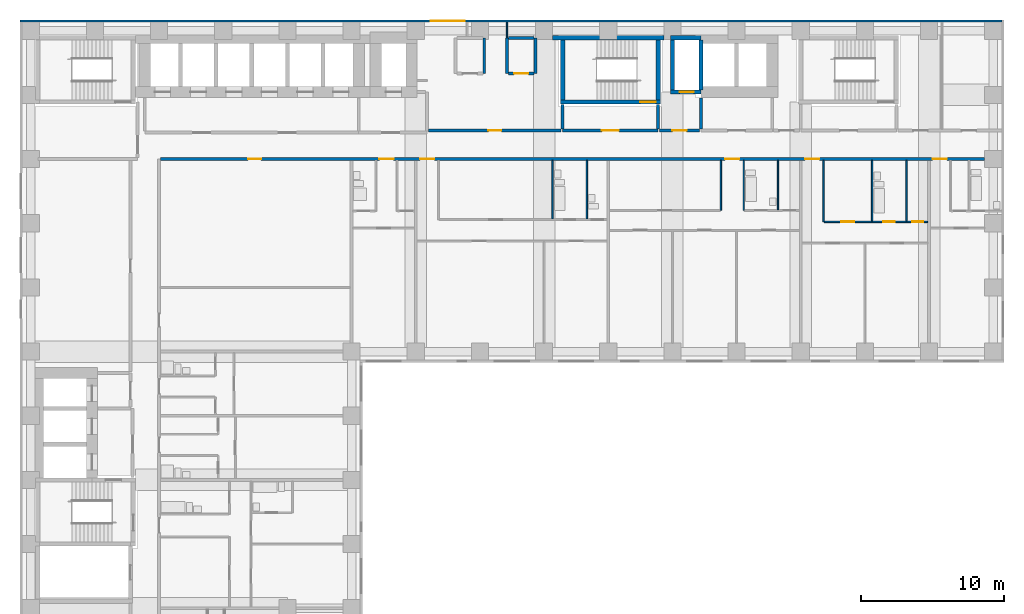
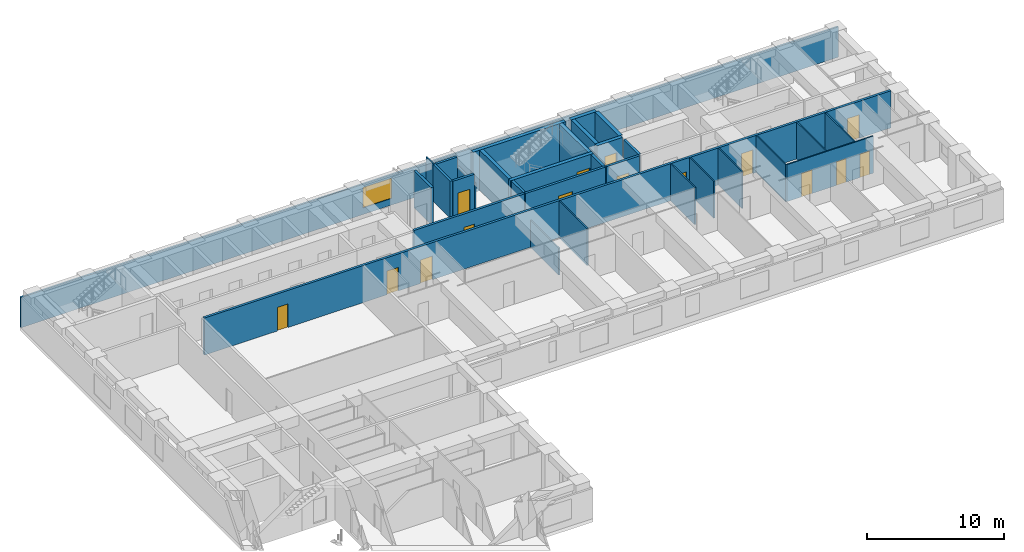
# One storey, part 7 of 11: 31 walls, 15 doors, 1 window, 16 openings.
"""IFC4 building model written with IfcOpenShell, lengths in metres."""

from ifc_helpers import new_model, si_unit, direction, frame, frame_2d, origin, place, context, subcontext, project, spatial, rectangle, extrude, material, layer, layer_set, type_object, element, fill, save


model = new_model("IFC4")

# Units and contexts
model_context = context("Model", 3, precision=1e-05, world=origin(), true_north=direction((0.0, 1.0)))
body_context = subcontext(model_context, "Body", "Model", "MODEL_VIEW")
ifc_project = project(units=[si_unit("LENGTHUNIT", "METRE"), si_unit("AREAUNIT", "SQUARE_METRE"), si_unit("VOLUMEUNIT", "CUBIC_METRE"), si_unit("PLANEANGLEUNIT", "RADIAN"), si_unit("MASSUNIT", "GRAM", prefix="KILO")], contexts=[model_context])

# Site, building, storey
site_placement = place(None, origin())
site = spatial("IfcSite", under=ifc_project, at=site_placement, CompositionType="ELEMENT")
building_placement = place(site_placement, origin())
building = spatial("IfcBuilding", under=site, at=building_placement, Name="Firuza Court", CompositionType="ELEMENT")
storey_placement = place(building_placement, frame((0.0, 0.0, 57.800048828125)))
storey = spatial("IfcBuildingStorey", under=building, at=storey_placement, Name="L13", CompositionType="ELEMENT", Elevation=57.800048828125)

# Walls
ifc_material_1 = material(Name="Moisture-resistant gypsum board partition")
ifc_layer_1 = layer(ifc_material_1, 0.10009765625)
ifc_layer_set_1 = layer_set([ifc_layer_1], Name="Moisture-resistant gypsum board partition")
wall_type_1 = type_object("IfcWallType", Name="Bathroom partition 100", PredefinedType="PLUMBINGWALL", material=ifc_layer_set_1)
for number, where, z_axis, x_axis, name in (
    (1, (59.0, 45.14990234375, 0.0), (0.0, 0.0, 1.0), (0.0, 1.0, 0.0), "Bathroom partition 100 L13"),
    (2, (61.39990234375, 45.14990234375, 0.0), (0.0, 0.0, 1.0), (0.0, 1.0, 0.0), "Bathroom partition 100 L13"),
):
    element("IfcWall", number, at=place(storey_placement, frame(where, z_axis=z_axis, x_axis=x_axis)), inside=storey, type_object=wall_type_1, Name=name, PredefinedType="PLUMBINGWALL", context=body_context, shape_type="SweptSolid", body=[
        extrude(rectangle(XDim=4.25, YDim=0.10009765625, at=frame_2d((2.125, 0.0))), origin(), (0.0, 0.0, 1.0), 3.300048828125),
    ])
wall_1_placement = place(storey_placement, frame((36.60009765625, 45.300048828125, 0.0), z_axis=(0.0, 0.0, 1.0), x_axis=(0.0, 1.0, 0.0)))
element("IfcWall", 3, at=wall_1_placement, inside=storey, type_object=wall_type_1, Name="Bathroom partition 100 L13", PredefinedType="PLUMBINGWALL", context=body_context, shape_type="SweptSolid", body=[
    extrude(rectangle(XDim=4.099853515625, YDim=0.10009765625, at=frame_2d((2.0498046875, 0.0))), origin(), (0.0, 0.0, 1.0), 2.39990234375),
])
wall_2_placement = place(storey_placement, frame((39.0, 45.300048828125, 0.0), z_axis=(0.0, 0.0, 1.0), x_axis=(0.0, 1.0, 0.0)))
element("IfcWall", 4, at=wall_2_placement, inside=storey, type_object=wall_type_1, Name="Bathroom partition 100 L13", PredefinedType="PLUMBINGWALL", context=body_context, shape_type="SweptSolid", body=[
    extrude(rectangle(XDim=4.099853515625, YDim=0.10009765625, at=frame_2d((2.0498046875, 0.0))), origin(), (0.0, 0.0, 1.0), 3.300048828125),
])
wall_3_placement = place(storey_placement, frame((50.0, 45.89990234375, 0.0), z_axis=(0.0, 0.0, 1.0), x_axis=(0.0, 1.0, 0.0)))
element("IfcWall", 5, at=wall_3_placement, inside=storey, type_object=wall_type_1, Name="Bathroom partition 100 L13", PredefinedType="PLUMBINGWALL", context=body_context, shape_type="SweptSolid", body=[
    extrude(rectangle(XDim=3.5, YDim=0.10009765625, at=frame_2d((1.75, 0.0))), origin(), (0.0, 0.0, 1.0), 3.300048828125),
])
wall_4_placement = place(storey_placement, frame((52.39990234375, 45.949951171875, 0.0), z_axis=(0.0, 0.0, 1.0), x_axis=(0.0, 1.0, 0.0)))
element("IfcWall", 6, at=wall_4_placement, inside=storey, type_object=wall_type_1, Name="Bathroom partition 100 L13", PredefinedType="PLUMBINGWALL", context=body_context, shape_type="SweptSolid", body=[
    extrude(rectangle(XDim=3.449951171875, YDim=0.10009765625, at=frame_2d((1.72509765625, 0.0))), origin(), (0.0, 0.0, 1.0), 3.300048828125),
])
ifc_material_2 = material(Name="Concrete C60/75", Category="concrete")
ifc_layer_2 = layer(ifc_material_2, 0.300048828125)
ifc_layer_set_2 = layer_set([ifc_layer_2], Name="Concrete C60/75")
wall_type_2 = type_object("IfcWallType", Name="Core wall 300 C60/75", PredefinedType="SHEAR", material=ifc_layer_set_2)
wall_5_placement = place(storey_placement, frame((36.60009765625, 58.0, -0.300048828125), z_axis=(0.0, 0.0, 1.0), x_axis=(1.0, 0.0, 0.0)))
element("IfcWall", 7, at=wall_5_placement, inside=storey, type_object=wall_type_2, Name="Core wall stair L13", PredefinedType="SHEAR", context=body_context, shape_type="SweptSolid", body=[
    extrude(rectangle(XDim=7.7998046875, YDim=0.300048828125, at=frame_2d((3.89990234375, 0.0))), origin(), (0.0, 0.0, 1.0), 3.60009765625),
])

# Wall, opening, door
wall_6_placement = place(storey_placement, frame((37.14990234375, 53.5, -0.300048828125), z_axis=(0.0, 0.0, 1.0), x_axis=(1.0, 0.0, 0.0)))
wall_6 = element("IfcWall", 8, at=wall_6_placement, inside=storey, type_object=wall_type_2, Name="Core wall stair L13", PredefinedType="SHEAR", context=body_context, shape_type="SweptSolid", body=[
    extrude(rectangle(XDim=7.0, YDim=0.300048828125, at=frame_2d((3.5, 0.0))), origin(), (0.0, 0.0, 1.0), 3.60009765625),
])
opening_1_placement = place(wall_6_placement, frame((5.580078125, 0.0, 0.300048828125)))
opening_1 = element("IfcOpeningElement", 9, at=opening_1_placement, cuts=wall_6, Name="Opening D13013", PredefinedType="OPENING", context=body_context, shape_type="SweptSolid", body=[
    extrude(rectangle(XDim=1.10009765625, YDim=2.10009765625, at=frame_2d((0.550048828125, 1.050048828125))), frame((0.0, 0.162109375, 0.0), z_axis=(0.0, -1.0, 0.0), x_axis=(1.0, 0.0, 0.0)), (0.0, 0.0, 1.0), 0.323974609375),
])
ifc_material_3 = material(Name="Timber door leaf in hardwood frame", Category="wood")
door_type_1 = type_object("IfcDoorType", Name="Stair door 1100", OperationType="SINGLE_SWING_LEFT", PredefinedType="DOOR", material=ifc_material_3)
door_1_placement = place(opening_1_placement, origin())
door_1 = element("IfcDoor", 10, at=door_1_placement, inside=storey, type_object=door_type_1, Name="Stair door S1", OperationType="SINGLE_SWING_RIGHT", OverallHeight=2.10009765625, OverallWidth=1.10009765625, PredefinedType="DOOR", context=body_context, shape_type="SweptSolid", body=[
    extrude(rectangle(XDim=1.10009765625, YDim=2.10009765625, at=frame_2d((0.550048828125, 1.050048828125))), frame((0.0, 0.02490234375, 0.0), z_axis=(0.0, -1.0, 0.0), x_axis=(1.0, 0.0, 0.0)), (0.0, 0.0, 1.0), 0.050048828125),
])
fill(opening_1, door_1)

# Walls
for number, where, z_axis, x_axis, name in (
    (11, (37.300048828125, 53.64990234375, -0.300048828125), (0.0, 0.0, 1.0), (0.0, 1.0, 0.0), "Core wall stair L13"),
    (12, (44.0, 53.64990234375, -0.300048828125), (0.0, 0.0, 1.0), (0.0, 1.0, 0.0), "Core wall stair L13"),
):
    element("IfcWall", number, at=place(storey_placement, frame(where, z_axis=z_axis, x_axis=x_axis)), inside=storey, type_object=wall_type_2, Name=name, PredefinedType="SHEAR", context=body_context, shape_type="SweptSolid", body=[
        extrude(rectangle(XDim=4.2001953125, YDim=0.300048828125, at=frame_2d((2.10009765625, 0.0))), origin(), (0.0, 0.0, 1.0), 3.60009765625),
    ])

# Wall, opening, door
wall_7_placement = place(storey_placement, frame((44.85009765625, 54.199951171875, -0.300048828125), z_axis=(0.0, 0.0, 1.0), x_axis=(1.0, 0.0, 0.0)))
wall_7 = element("IfcWall", 13, at=wall_7_placement, inside=storey, type_object=wall_type_2, Name="Core wall riser L13", PredefinedType="SHEAR", context=body_context, shape_type="SweptSolid", body=[
    extrude(rectangle(XDim=2.14990234375, YDim=0.300048828125, at=frame_2d((1.074951171875, 0.0))), origin(), (0.0, 0.0, 1.0), 3.60009765625),
])
opening_2_placement = place(wall_7_placement, frame((0.64990234375, 0.0, 0.300048828125)))
opening_2 = element("IfcOpeningElement", 14, at=opening_2_placement, cuts=wall_7, Name="Opening D13011", PredefinedType="OPENING", context=body_context, shape_type="SweptSolid", body=[
    extrude(rectangle(XDim=1.0, YDim=2.10009765625, at=frame_2d((0.5, 1.050048828125))), frame((0.0, 0.162109375, 0.0), z_axis=(0.0, -1.0, 0.0), x_axis=(1.0, 0.0, 0.0)), (0.0, 0.0, 1.0), 0.323974609375),
])
ifc_material_4 = material(Name="Timber door leaf in hardwood frame", Category="wood")
door_type_2 = type_object("IfcDoorType", Name="Riser door 1000", OperationType="SINGLE_SWING_LEFT", PredefinedType="DOOR", material=ifc_material_4)
door_2_placement = place(opening_2_placement, origin())
door_2 = element("IfcDoor", 15, at=door_2_placement, inside=storey, type_object=door_type_2, Name="Riser door R3", OperationType="SINGLE_SWING_LEFT", OverallHeight=2.10009765625, OverallWidth=1.0, PredefinedType="DOOR", context=body_context, shape_type="SweptSolid", body=[
    extrude(rectangle(XDim=1.0, YDim=2.10009765625, at=frame_2d((0.5, 1.050048828125))), frame((0.0, 0.02490234375, 0.0), z_axis=(0.0, -1.0, 0.0), x_axis=(1.0, 0.0, 0.0)), (0.0, 0.0, 1.0), 0.050048828125),
])
fill(opening_2, door_2)

# Walls
wall_8_placement = place(storey_placement, frame((44.85009765625, 58.0, -0.300048828125), z_axis=(0.0, 0.0, 1.0), x_axis=(1.0, 0.0, 0.0)))
element("IfcWall", 16, at=wall_8_placement, inside=storey, type_object=wall_type_2, Name="Core wall riser L13", PredefinedType="SHEAR", context=body_context, shape_type="SweptSolid", body=[
    extrude(rectangle(XDim=2.14990234375, YDim=0.300048828125, at=frame_2d((1.074951171875, 0.0))), origin(), (0.0, 0.0, 1.0), 3.60009765625),
])
for number, where, z_axis, x_axis, name in (
    (17, (45.0, 54.35009765625, -0.300048828125), (0.0, 0.0, 1.0), (0.0, 1.0, 0.0), "Core wall riser L13"),
    (18, (47.0, 54.35009765625, -0.300048828125), (0.0, 0.0, 1.0), (0.0, 1.0, 0.0), "Core wall lift shaft L13"),
):
    element("IfcWall", number, at=place(storey_placement, frame(where, z_axis=z_axis, x_axis=x_axis)), inside=storey, type_object=wall_type_2, Name=name, PredefinedType="SHEAR", context=body_context, shape_type="SweptSolid", body=[
        extrude(rectangle(XDim=3.5, YDim=0.300048828125, at=frame_2d((1.75, 0.0))), origin(), (0.0, 0.0, 1.0), 3.60009765625),
    ])

# Wall, openings, doors
ifc_material_5 = material(Name="Blockwork, plastered both sides", Category="masonry")
ifc_layer_3 = layer(ifc_material_5, 0.199951171875)
ifc_layer_set_3 = layer_set([ifc_layer_3], Name="Blockwork, plastered both sides")
wall_type_3 = type_object("IfcWallType", Name="Corridor wall 200", PredefinedType="PARTITIONING", material=ifc_layer_set_3)
wall_9_placement = place(storey_placement, frame((9.10009765625, 49.5, 0.0), z_axis=(0.0, 0.0, 1.0), x_axis=(1.0, 0.0, 0.0)))
wall_9 = element("IfcWall", 19, at=wall_9_placement, inside=storey, type_object=wall_type_3, Name="Corridor wall 200 L13", PredefinedType="PARTITIONING", context=body_context, shape_type="SweptSolid", body=[
    extrude(rectangle(XDim=57.7998046875, YDim=0.199951171875, at=frame_2d((28.89990234375, 0.0))), origin(), (0.0, 0.0, 1.0), 3.300048828125),
])
opening_3_placement = place(wall_9_placement, frame((15.35009765625, 0.0, 0.0)))
opening_3 = element("IfcOpeningElement", 20, at=opening_3_placement, cuts=wall_9, Name="Opening D13064", PredefinedType="OPENING", context=body_context, shape_type="SweptSolid", body=[
    extrude(rectangle(XDim=1.0, YDim=2.10009765625, at=frame_2d((0.5, 1.050048828125))), frame((0.0, 0.11181640625, 0.0), z_axis=(0.0, -1.0, 0.0), x_axis=(1.0, 0.0, 0.0)), (0.0, 0.0, 1.0), 0.223876953125),
])
opening_4_placement = place(wall_9_placement, frame((18.199951171875, 0.0, 0.0)))
opening_4 = element("IfcOpeningElement", 21, at=opening_4_placement, cuts=wall_9, Name="Opening D13065", PredefinedType="OPENING", context=body_context, shape_type="SweptSolid", body=[
    extrude(rectangle(XDim=1.0, YDim=2.10009765625, at=frame_2d((0.5, 1.050048828125))), frame((0.0, 0.11181640625, 0.0), z_axis=(0.0, -1.0, 0.0), x_axis=(1.0, 0.0, 0.0)), (0.0, 0.0, 1.0), 0.223876953125),
])
opening_5_placement = place(wall_9_placement, frame((39.60009765625, 0.0, 0.0)))
opening_5 = element("IfcOpeningElement", 22, at=opening_5_placement, cuts=wall_9, Name="Opening D13066", PredefinedType="OPENING", context=body_context, shape_type="SweptSolid", body=[
    extrude(rectangle(XDim=1.0, YDim=2.10009765625, at=frame_2d((0.5, 1.050048828125))), frame((0.0, 0.11181640625, 0.0), z_axis=(0.0, -1.0, 0.0), x_axis=(1.0, 0.0, 0.0)), (0.0, 0.0, 1.0), 0.223876953125),
])
opening_6_placement = place(wall_9_placement, frame((45.199951171875, 0.0, 0.0)))
opening_6 = element("IfcOpeningElement", 23, at=opening_6_placement, cuts=wall_9, Name="Opening D13067", PredefinedType="OPENING", context=body_context, shape_type="SweptSolid", body=[
    extrude(rectangle(XDim=1.0, YDim=2.10009765625, at=frame_2d((0.5, 1.050048828125))), frame((0.0, 0.11181640625, 0.0), z_axis=(0.0, -1.0, 0.0), x_axis=(1.0, 0.0, 0.0)), (0.0, 0.0, 1.0), 0.223876953125),
])
opening_7_placement = place(wall_9_placement, frame((54.14990234375, 0.0, 0.0)))
opening_7 = element("IfcOpeningElement", 24, at=opening_7_placement, cuts=wall_9, Name="Opening D13068", PredefinedType="OPENING", context=body_context, shape_type="SweptSolid", body=[
    extrude(rectangle(XDim=1.0, YDim=2.10009765625, at=frame_2d((0.5, 1.050048828125))), frame((0.0, 0.11181640625, 0.0), z_axis=(0.0, -1.0, 0.0), x_axis=(1.0, 0.0, 0.0)), (0.0, 0.0, 1.0), 0.223876953125),
])
opening_8_placement = place(wall_9_placement, frame((6.14990234375, 0.0, 0.0)))
opening_8 = element("IfcOpeningElement", 25, at=opening_8_placement, cuts=wall_9, Name="Opening D13069", PredefinedType="OPENING", context=body_context, shape_type="SweptSolid", body=[
    extrude(rectangle(XDim=0.89990234375, YDim=2.10009765625, at=frame_2d((0.449951171875, 1.050048828125))), frame((0.0, 0.11181640625, 0.0), z_axis=(0.0, -1.0, 0.0), x_axis=(1.0, 0.0, 0.0)), (0.0, 0.0, 1.0), 0.223876953125),
])
ifc_material_6 = material(Name="Timber door leaf in hardwood frame", Category="wood")
door_type_3 = type_object("IfcDoorType", Name="Flat entrance door 1000", OperationType="SINGLE_SWING_LEFT", PredefinedType="DOOR", material=ifc_material_6)
door_3_placement = place(opening_3_placement, origin())
door_3 = element("IfcDoor", 26, at=door_3_placement, inside=storey, type_object=door_type_3, Name="Flat entrance door", OperationType="SINGLE_SWING_LEFT", OverallHeight=2.10009765625, OverallWidth=1.0, PredefinedType="DOOR", context=body_context, shape_type="SweptSolid", body=[
    extrude(rectangle(XDim=1.0, YDim=2.10009765625, at=frame_2d((0.5, 1.050048828125))), frame((0.0, 0.02490234375, 0.0), z_axis=(0.0, -1.0, 0.0), x_axis=(1.0, 0.0, 0.0)), (0.0, 0.0, 1.0), 0.050048828125),
])
fill(opening_3, door_3)
door_4_placement = place(opening_4_placement, origin())
door_4 = element("IfcDoor", 27, at=door_4_placement, inside=storey, type_object=door_type_3, Name="Flat entrance door", OperationType="SINGLE_SWING_LEFT", OverallHeight=2.10009765625, OverallWidth=1.0, PredefinedType="DOOR", context=body_context, shape_type="SweptSolid", body=[
    extrude(rectangle(XDim=1.0, YDim=2.10009765625, at=frame_2d((0.5, 1.050048828125))), frame((0.0, 0.02490234375, 0.0), z_axis=(0.0, -1.0, 0.0), x_axis=(1.0, 0.0, 0.0)), (0.0, 0.0, 1.0), 0.050048828125),
])
fill(opening_4, door_4)
door_5_placement = place(opening_5_placement, origin())
door_5 = element("IfcDoor", 28, at=door_5_placement, inside=storey, type_object=door_type_3, Name="Flat entrance door", OperationType="SINGLE_SWING_LEFT", OverallHeight=2.10009765625, OverallWidth=1.0, PredefinedType="DOOR", context=body_context, shape_type="SweptSolid", body=[
    extrude(rectangle(XDim=1.0, YDim=2.10009765625, at=frame_2d((0.5, 1.050048828125))), frame((0.0, 0.02490234375, 0.0), z_axis=(0.0, -1.0, 0.0), x_axis=(1.0, 0.0, 0.0)), (0.0, 0.0, 1.0), 0.050048828125),
])
fill(opening_5, door_5)
door_6_placement = place(opening_6_placement, origin())
door_6 = element("IfcDoor", 29, at=door_6_placement, inside=storey, type_object=door_type_3, Name="Flat entrance door", OperationType="SINGLE_SWING_LEFT", OverallHeight=2.10009765625, OverallWidth=1.0, PredefinedType="DOOR", context=body_context, shape_type="SweptSolid", body=[
    extrude(rectangle(XDim=1.0, YDim=2.10009765625, at=frame_2d((0.5, 1.050048828125))), frame((0.0, 0.02490234375, 0.0), z_axis=(0.0, -1.0, 0.0), x_axis=(1.0, 0.0, 0.0)), (0.0, 0.0, 1.0), 0.050048828125),
])
fill(opening_6, door_6)
door_7_placement = place(opening_7_placement, origin())
door_7 = element("IfcDoor", 30, at=door_7_placement, inside=storey, type_object=door_type_3, Name="Flat entrance door", OperationType="SINGLE_SWING_RIGHT", OverallHeight=2.10009765625, OverallWidth=1.0, PredefinedType="DOOR", context=body_context, shape_type="SweptSolid", body=[
    extrude(rectangle(XDim=1.0, YDim=2.10009765625, at=frame_2d((0.5, 1.050048828125))), frame((0.0, 0.02490234375, 0.0), z_axis=(0.0, -1.0, 0.0), x_axis=(1.0, 0.0, 0.0)), (0.0, 0.0, 1.0), 0.050048828125),
])
fill(opening_7, door_7)
ifc_material_7 = material(Name="Timber door leaf in hardwood frame", Category="wood")
door_type_4 = type_object("IfcDoorType", Name="Room door 900 EI 30", OperationType="SINGLE_SWING_LEFT", PredefinedType="DOOR", material=ifc_material_7)
door_8_placement = place(opening_8_placement, origin())
door_8 = element("IfcDoor", 31, at=door_8_placement, inside=storey, type_object=door_type_4, Name="Residents' dining room door", OperationType="SINGLE_SWING_LEFT", OverallHeight=2.10009765625, OverallWidth=0.89990234375, PredefinedType="DOOR", context=body_context, shape_type="SweptSolid", body=[
    extrude(rectangle(XDim=0.89990234375, YDim=2.10009765625, at=frame_2d((0.449951171875, 1.050048828125))), frame((0.0, 0.02490234375, 0.0), z_axis=(0.0, -1.0, 0.0), x_axis=(1.0, 0.0, 0.0)), (0.0, 0.0, 1.0), 0.050048828125),
])
fill(opening_8, door_8)

# Wall, opening, door
wall_10_placement = place(storey_placement, frame((27.89990234375, 51.5, 0.0), z_axis=(0.0, 0.0, 1.0), x_axis=(1.0, 0.0, 0.0)))
wall_10 = element("IfcWall", 32, at=wall_10_placement, inside=storey, type_object=wall_type_3, Name="Corridor wall 200 L13", PredefinedType="PARTITIONING", context=body_context, shape_type="SweptSolid", body=[
    extrude(rectangle(XDim=9.300048828125, YDim=0.199951171875, at=frame_2d((4.64990234375, 0.0))), origin(), (0.0, 0.0, 1.0), 3.300048828125),
])
opening_9_placement = place(wall_10_placement, frame((4.199951171875, 0.0, 0.0)))
opening_9 = element("IfcOpeningElement", 33, at=opening_9_placement, cuts=wall_10, Name="Opening D13070", PredefinedType="OPENING", context=body_context, shape_type="SweptSolid", body=[
    extrude(rectangle(XDim=0.89990234375, YDim=2.10009765625, at=frame_2d((0.449951171875, 1.050048828125))), frame((0.0, 0.11181640625, 0.0), z_axis=(0.0, -1.0, 0.0), x_axis=(1.0, 0.0, 0.0)), (0.0, 0.0, 1.0), 0.223876953125),
])
door_9_placement = place(opening_9_placement, origin())
door_9 = element("IfcDoor", 34, at=door_9_placement, inside=storey, type_object=door_type_4, Name="Meeting room door", OperationType="SINGLE_SWING_LEFT", OverallHeight=2.10009765625, OverallWidth=0.89990234375, PredefinedType="DOOR", context=body_context, shape_type="SweptSolid", body=[
    extrude(rectangle(XDim=0.89990234375, YDim=2.10009765625, at=frame_2d((0.449951171875, 1.050048828125))), frame((0.0, 0.02490234375, 0.0), z_axis=(0.0, -1.0, 0.0), x_axis=(1.0, 0.0, 0.0)), (0.0, 0.0, 1.0), 0.050048828125),
])
fill(opening_9, door_9)

wall_11_placement = place(storey_placement, frame((44.10009765625, 51.5, 0.0), z_axis=(0.0, 0.0, 1.0), x_axis=(1.0, 0.0, 0.0)))
wall_11 = element("IfcWall", 35, at=wall_11_placement, inside=storey, type_object=wall_type_3, Name="Corridor wall 200 L13", PredefinedType="PARTITIONING", context=body_context, shape_type="SweptSolid", body=[
    extrude(rectangle(XDim=2.7998046875, YDim=0.199951171875, at=frame_2d((1.39990234375, 0.0))), origin(), (0.0, 0.0, 1.0), 3.300048828125),
])
opening_10_placement = place(wall_11_placement, frame((0.89990234375, 0.0, 0.0)))
opening_10 = element("IfcOpeningElement", 36, at=opening_10_placement, cuts=wall_11, Name="Opening D13071", PredefinedType="OPENING", context=body_context, shape_type="SweptSolid", body=[
    extrude(rectangle(XDim=1.0, YDim=2.10009765625, at=frame_2d((0.5, 1.050048828125))), frame((0.0, 0.11181640625, 0.0), z_axis=(0.0, -1.0, 0.0), x_axis=(1.0, 0.0, 0.0)), (0.0, 0.0, 1.0), 0.223876953125),
])
ifc_material_8 = material(Name="Timber door leaf in hardwood frame", Category="wood")
door_type_5 = type_object("IfcDoorType", Name="Store door 1000", OperationType="SINGLE_SWING_LEFT", PredefinedType="DOOR", material=ifc_material_8)
door_10_placement = place(opening_10_placement, origin())
door_10 = element("IfcDoor", 37, at=door_10_placement, inside=storey, type_object=door_type_5, Name="Electrical room door", OperationType="SINGLE_SWING_LEFT", OverallHeight=2.10009765625, OverallWidth=1.0, PredefinedType="DOOR", context=body_context, shape_type="SweptSolid", body=[
    extrude(rectangle(XDim=1.0, YDim=2.10009765625, at=frame_2d((0.5, 1.050048828125))), frame((0.0, 0.02490234375, 0.0), z_axis=(0.0, -1.0, 0.0), x_axis=(1.0, 0.0, 0.0)), (0.0, 0.0, 1.0), 0.050048828125),
])
fill(opening_10, door_10)

# Wall
ifc_material_9 = material(Name="Timber stud partition, plasterboard both sides", Category="wood")
ifc_layer_4 = layer(ifc_material_9, 0.10009765625)
ifc_layer_set_4 = layer_set([ifc_layer_4], Name="Timber stud partition, plasterboard both sides")
wall_type_4 = type_object("IfcWallType", Name="Partition wall 100", PredefinedType="PARTITIONING", material=ifc_layer_set_4)
wall_12_placement = place(storey_placement, frame((55.60009765625, 45.10009765625, 0.0), z_axis=(0.0, 0.0, 1.0), x_axis=(0.0, 1.0, 0.0)))
element("IfcWall", 38, at=wall_12_placement, inside=storey, type_object=wall_type_4, Name="Partition wall 100 L13", PredefinedType="PARTITIONING", context=body_context, shape_type="SweptSolid", body=[
    extrude(rectangle(XDim=4.2998046875, YDim=0.10009765625, at=frame_2d((2.14990234375, 0.0))), origin(), (0.0, 0.0, 1.0), 3.300048828125),
])

# Wall, openings, doors
wall_13_placement = place(storey_placement, frame((55.64990234375, 45.10009765625, 0.0), z_axis=(0.0, 0.0, 1.0), x_axis=(1.0, 0.0, 0.0)))
wall_13 = element("IfcWall", 39, at=wall_13_placement, inside=storey, type_object=wall_type_4, Name="Partition wall 100 L13", PredefinedType="PARTITIONING", context=body_context, shape_type="SweptSolid", body=[
    extrude(rectangle(XDim=7.25, YDim=0.10009765625, at=frame_2d((3.625, 0.0))), origin(), (0.0, 0.0, 1.0), 3.300048828125),
])
opening_11_placement = place(wall_13_placement, frame((4.14990234375, 0.0, 0.0)))
opening_11 = element("IfcOpeningElement", 40, at=opening_11_placement, cuts=wall_13, Name="Opening D13051", PredefinedType="OPENING", context=body_context, shape_type="SweptSolid", body=[
    extrude(rectangle(XDim=0.800048828125, YDim=2.10009765625, at=frame_2d((0.39990234375, 1.050048828125))), frame((0.0, 0.06201171875, 0.0), z_axis=(0.0, -1.0, 0.0), x_axis=(1.0, 0.0, 0.0)), (0.0, 0.0, 1.0), 0.1240234375),
])
opening_12_placement = place(wall_13_placement, frame((1.199951171875, 0.0, 0.0)))
opening_12 = element("IfcOpeningElement", 41, at=opening_12_placement, cuts=wall_13, Name="Opening D13052", PredefinedType="OPENING", context=body_context, shape_type="SweptSolid", body=[
    extrude(rectangle(XDim=0.89990234375, YDim=2.10009765625, at=frame_2d((0.449951171875, 1.050048828125))), frame((0.0, 0.06201171875, 0.0), z_axis=(0.0, -1.0, 0.0), x_axis=(1.0, 0.0, 0.0)), (0.0, 0.0, 1.0), 0.1240234375),
])
opening_13_placement = place(wall_13_placement, frame((6.14990234375, 0.0, 0.0)))
opening_13 = element("IfcOpeningElement", 42, at=opening_13_placement, cuts=wall_13, Name="Opening D13053", PredefinedType="OPENING", context=body_context, shape_type="SweptSolid", body=[
    extrude(rectangle(XDim=0.800048828125, YDim=2.10009765625, at=frame_2d((0.39990234375, 1.050048828125))), frame((0.0, 0.06201171875, 0.0), z_axis=(0.0, -1.0, 0.0), x_axis=(1.0, 0.0, 0.0)), (0.0, 0.0, 1.0), 0.1240234375),
])
ifc_material_10 = material(Name="Timber door leaf in hardwood frame", Category="wood")
door_type_6 = type_object("IfcDoorType", Name="Bathroom door 800", OperationType="SINGLE_SWING_LEFT", PredefinedType="DOOR", material=ifc_material_10)
door_11_placement = place(opening_11_placement, origin())
door_11 = element("IfcDoor", 43, at=door_11_placement, inside=storey, type_object=door_type_6, Name="Bathroom door", OperationType="SINGLE_SWING_LEFT", OverallHeight=2.10009765625, OverallWidth=0.800048828125, PredefinedType="DOOR", context=body_context, shape_type="SweptSolid", body=[
    extrude(rectangle(XDim=0.800048828125, YDim=2.10009765625, at=frame_2d((0.39990234375, 1.050048828125))), frame((0.0, 0.02490234375, 0.0), z_axis=(0.0, -1.0, 0.0), x_axis=(1.0, 0.0, 0.0)), (0.0, 0.0, 1.0), 0.050048828125),
])
fill(opening_11, door_11)
ifc_material_11 = material(Name="Timber door leaf in hardwood frame", Category="wood")
door_type_7 = type_object("IfcDoorType", Name="Room door 800", OperationType="SINGLE_SWING_LEFT", PredefinedType="DOOR", material=ifc_material_11)
door_12_placement = place(opening_13_placement, origin())
door_12 = element("IfcDoor", 44, at=door_12_placement, inside=storey, type_object=door_type_7, Name="Store door", OperationType="SINGLE_SWING_LEFT", OverallHeight=2.10009765625, OverallWidth=0.800048828125, PredefinedType="DOOR", context=body_context, shape_type="SweptSolid", body=[
    extrude(rectangle(XDim=0.800048828125, YDim=2.10009765625, at=frame_2d((0.39990234375, 1.050048828125))), frame((0.0, 0.02490234375, 0.0), z_axis=(0.0, -1.0, 0.0), x_axis=(1.0, 0.0, 0.0)), (0.0, 0.0, 1.0), 0.050048828125),
])
fill(opening_13, door_12)
ifc_material_12 = material(Name="Timber door leaf in hardwood frame", Category="wood")
door_type_8 = type_object("IfcDoorType", Name="Room door 900", OperationType="SINGLE_SWING_LEFT", PredefinedType="DOOR", material=ifc_material_12)
door_13_placement = place(opening_12_placement, origin())
door_13 = element("IfcDoor", 45, at=door_13_placement, inside=storey, type_object=door_type_8, Name="Kitchen door", OperationType="SINGLE_SWING_LEFT", OverallHeight=2.10009765625, OverallWidth=0.89990234375, PredefinedType="DOOR", context=body_context, shape_type="SweptSolid", body=[
    extrude(rectangle(XDim=0.89990234375, YDim=2.10009765625, at=frame_2d((0.449951171875, 1.050048828125))), frame((0.0, 0.02490234375, 0.0), z_axis=(0.0, -1.0, 0.0), x_axis=(1.0, 0.0, 0.0)), (0.0, 0.0, 1.0), 0.050048828125),
])
fill(opening_12, door_13)

# Walls
wall_14_placement = place(storey_placement, frame((48.39990234375, 45.89990234375, 0.0), z_axis=(0.0, 0.0, 1.0), x_axis=(0.0, 1.0, 0.0)))
element("IfcWall", 46, at=wall_14_placement, inside=storey, type_object=wall_type_4, Name="Partition wall 100 L13", PredefinedType="PARTITIONING", context=body_context, shape_type="SweptSolid", body=[
    extrude(rectangle(XDim=3.5, YDim=0.10009765625, at=frame_2d((1.75, 0.0))), origin(), (0.0, 0.0, 1.0), 3.300048828125),
])
wall_15_placement = place(storey_placement, frame((33.39990234375, 58.0, 0.0), z_axis=(0.0, 0.0, 1.0), x_axis=(0.0, 1.0, 0.0)))
element("IfcWall", 47, at=wall_15_placement, inside=storey, type_object=wall_type_4, Name="Partition wall 100 L13", PredefinedType="PARTITIONING", context=body_context, shape_type="SweptSolid", body=[
    extrude(rectangle(XDim=1.10009765625, YDim=0.10009765625, at=frame_2d((0.550048828125, 0.0))), origin(), (0.0, 0.0, 1.0), 3.300048828125),
])
ifc_material_13 = material(Name="Blockwork, fire-rated", Category="masonry")
ifc_layer_5 = layer(ifc_material_13, 0.199951171875)
ifc_layer_set_5 = layer_set([ifc_layer_5], Name="Blockwork, fire-rated")
wall_type_5 = type_object("IfcWallType", Name="Plant room wall 200", PredefinedType="PARTITIONING", material=ifc_layer_set_5)
for number, where, z_axis, x_axis, name in (
    (48, (31.800048828125, 55.5, 0.0), (0.0, 0.0, 1.0), (0.0, 1.0, 0.0), "Plant room wall 200 L13"),
    (49, (33.39990234375, 55.5, 0.0), (0.0, 0.0, 1.0), (0.0, 1.0, 0.0), "Plant room wall 200 L13"),
):
    element("IfcWall", number, at=place(storey_placement, frame(where, z_axis=z_axis, x_axis=x_axis)), inside=storey, type_object=wall_type_5, Name=name, PredefinedType="PARTITIONING", context=body_context, shape_type="SweptSolid", body=[
        extrude(rectangle(XDim=2.5, YDim=0.199951171875, at=frame_2d((1.25, 0.0))), origin(), (0.0, 0.0, 1.0), 3.300048828125),
    ])

# Wall, opening, door
wall_16_placement = place(storey_placement, frame((33.5, 55.5, 0.0), z_axis=(0.0, 0.0, 1.0), x_axis=(1.0, 0.0, 0.0)))
wall_16 = element("IfcWall", 50, at=wall_16_placement, inside=storey, type_object=wall_type_5, Name="Plant room wall 200 L13", PredefinedType="PARTITIONING", context=body_context, shape_type="SweptSolid", body=[
    extrude(rectangle(XDim=1.800048828125, YDim=0.199951171875, at=frame_2d((0.89990234375, 0.0))), origin(), (0.0, 0.0, 1.0), 3.300048828125),
])
opening_14_placement = place(wall_16_placement, frame((0.39990234375, 0.0, 0.0)))
opening_14 = element("IfcOpeningElement", 51, at=opening_14_placement, cuts=wall_16, Name="Opening D13076", PredefinedType="OPENING", context=body_context, shape_type="SweptSolid", body=[
    extrude(rectangle(XDim=1.0, YDim=2.10009765625, at=frame_2d((0.5, 1.050048828125))), frame((0.0, 0.11181640625, 0.0), z_axis=(0.0, -1.0, 0.0), x_axis=(1.0, 0.0, 0.0)), (0.0, 0.0, 1.0), 0.223876953125),
])
door_14_placement = place(opening_14_placement, origin())
door_14 = element("IfcDoor", 52, at=door_14_placement, inside=storey, type_object=door_type_2, Name="Duct riser door", OperationType="SINGLE_SWING_LEFT", OverallHeight=2.10009765625, OverallWidth=1.0, PredefinedType="DOOR", context=body_context, shape_type="SweptSolid", body=[
    extrude(rectangle(XDim=1.0, YDim=2.10009765625, at=frame_2d((0.5, 1.050048828125))), frame((0.0, 0.02490234375, 0.0), z_axis=(0.0, -1.0, 0.0), x_axis=(1.0, 0.0, 0.0)), (0.0, 0.0, 1.0), 0.050048828125),
])
fill(opening_14, door_14)

# Walls
wall_17_placement = place(storey_placement, frame((35.39990234375, 55.5, 0.0), z_axis=(0.0, 0.0, 1.0), x_axis=(0.0, 1.0, 0.0)))
element("IfcWall", 53, at=wall_17_placement, inside=storey, type_object=wall_type_5, Name="Plant room wall 200 L13", PredefinedType="PARTITIONING", context=body_context, shape_type="SweptSolid", body=[
    extrude(rectangle(XDim=2.5, YDim=0.199951171875, at=frame_2d((1.25, 0.0))), origin(), (0.0, 0.0, 1.0), 2.39990234375),
])
wall_18_placement = place(storey_placement, frame((33.5, 58.0, 0.0), z_axis=(0.0, 0.0, 1.0), x_axis=(1.0, 0.0, 0.0)))
element("IfcWall", 54, at=wall_18_placement, inside=storey, type_object=wall_type_5, Name="Plant room wall 200 L13", PredefinedType="PARTITIONING", context=body_context, shape_type="SweptSolid", body=[
    extrude(rectangle(XDim=1.800048828125, YDim=0.199951171875, at=frame_2d((0.89990234375, 0.0))), origin(), (0.0, 0.0, 1.0), 3.300048828125),
])

# Wall, opening, window
ifc_material_14 = material(Name="Ceramic tile", Category="ceramic")
ifc_layer_6 = layer(ifc_material_14, 0.02001953125)
ifc_material_15 = material(Name="Mineral wool insulation", Category="insulation")
ifc_layer_7 = layer(ifc_material_15, 0.050048828125)
ifc_material_16 = material(Name="Concrete C40/50 precast", Category="concrete")
ifc_layer_8 = layer(ifc_material_16, 0.080078125)
ifc_layer_set_6 = layer_set([ifc_layer_6, ifc_layer_7, ifc_layer_8], Name="Concrete C40/50 precast")
wall_type_6 = type_object("IfcWallType", Name="Precast cladding wall with turquoise TILE PANEL face 150", PredefinedType="STANDARD", material=ifc_layer_set_6)
wall_19_placement = place(storey_placement, frame((68.10009765625, 59.175048828125, 0.0), z_axis=(0.0, 0.0, 1.0), x_axis=(-1.0, 0.0, 0.0)))
wall_19 = element("IfcWall", 55, at=wall_19_placement, inside=storey, type_object=wall_type_6, Name="Facade wall L13 N", PredefinedType="STANDARD", context=body_context, shape_type="SweptSolid", body=[
    extrude(rectangle(XDim=68.85009765625, YDim=0.14990234375, at=frame_2d((34.425048828125, 0.0))), origin(), (0.0, 0.0, 1.0), 2.699951171875),
])
opening_15_placement = place(wall_19_placement, frame((37.64990234375, 0.0, 0.60009765625)))
opening_15 = element("IfcOpeningElement", 56, at=opening_15_placement, cuts=wall_19, Name="Opening W1", PredefinedType="OPENING", context=body_context, shape_type="SweptSolid", body=[
    extrude(rectangle(XDim=2.39990234375, YDim=1.800048828125, at=frame_2d((1.199951171875, 0.89990234375))), frame((0.0, 0.0869140625, 0.0), z_axis=(0.0, -1.0, 0.0), x_axis=(1.0, 0.0, 0.0)), (0.0, 0.0, 1.0), 0.173828125),
])
ifc_material_17 = material(Name="Aluminium frame, triple clear glazing", Category="aluminium")
window_type = type_object("IfcWindowType", Name="Window W1 2400 x 1800", PartitioningType="SINGLE_PANEL", PredefinedType="WINDOW", material=ifc_material_17)
window_placement = place(opening_15_placement, origin())
window = element("IfcWindow", 57, at=window_placement, inside=storey, type_object=window_type, Name="Window L13", OverallHeight=1.800048828125, OverallWidth=2.39990234375, PartitioningType="SINGLE_PANEL", PredefinedType="WINDOW", context=body_context, shape_type="SweptSolid", body=[
    extrude(rectangle(XDim=2.39990234375, YDim=1.800048828125, at=frame_2d((1.199951171875, 0.89990234375))), frame((0.0, 0.030029296875, 0.0), z_axis=(0.0, -1.0, 0.0), x_axis=(1.0, 0.0, 0.0)), (0.0, 0.0, 1.0), 0.06005859375),
])
fill(opening_15, window)

# Wall
ifc_layer_9 = layer(ifc_material_13, 0.199951171875)
ifc_layer_set_7 = layer_set([ifc_layer_9], Name="Blockwork, fire-rated")
wall_type_7 = type_object("IfcWallType", Name="Shaft wall 200", PredefinedType="PARTITIONING", material=ifc_layer_set_7)
wall_20_placement = place(storey_placement, frame((47.0, 51.60009765625, 0.0), z_axis=(0.0, 0.0, 1.0), x_axis=(0.0, 1.0, 0.0)))
element("IfcWall", 58, at=wall_20_placement, inside=storey, type_object=wall_type_7, Name="Shaft wall 200 L13", PredefinedType="PARTITIONING", context=body_context, shape_type="SweptSolid", body=[
    extrude(rectangle(XDim=2.179931640625, YDim=0.199951171875, at=frame_2d((1.08984375, 0.0))), origin(), (0.0, 0.0, 1.0), 3.300048828125),
])

# Wall, opening, door
wall_21_placement = place(storey_placement, frame((37.300048828125, 51.5, 0.0), z_axis=(0.0, 0.0, 1.0), x_axis=(1.0, 0.0, 0.0)))
wall_21 = element("IfcWall", 59, at=wall_21_placement, inside=storey, type_object=wall_type_7, Name="Shaft wall 200 L13", PredefinedType="PARTITIONING", context=body_context, shape_type="SweptSolid", body=[
    extrude(rectangle(XDim=6.699951171875, YDim=0.199951171875, at=frame_2d((3.35009765625, 0.0))), origin(), (0.0, 0.0, 1.0), 3.300048828125),
])
opening_16_placement = place(wall_21_placement, frame((2.75, 0.0, 0.0)))
opening_16 = element("IfcOpeningElement", 60, at=opening_16_placement, cuts=wall_21, Name="Opening D13006", PredefinedType="OPENING", context=body_context, shape_type="SweptSolid", body=[
    extrude(rectangle(XDim=1.199951171875, YDim=2.10009765625, at=frame_2d((0.60009765625, 1.050048828125))), frame((0.0, 0.11181640625, 0.0), z_axis=(0.0, -1.0, 0.0), x_axis=(1.0, 0.0, 0.0)), (0.0, 0.0, 1.0), 0.223876953125),
])
ifc_material_18 = material(Name="Timber door leaf in hardwood frame", Category="wood")
door_type_9 = type_object("IfcDoorType", Name="Lobby door 1200", OperationType="SINGLE_SWING_LEFT", PredefinedType="DOOR", material=ifc_material_18)
door_15_placement = place(opening_16_placement, origin())
door_15 = element("IfcDoor", 61, at=door_15_placement, inside=storey, type_object=door_type_9, Name="Lobby door", OperationType="SINGLE_SWING_LEFT", OverallHeight=2.10009765625, OverallWidth=1.199951171875, PredefinedType="DOOR", context=body_context, shape_type="SweptSolid", body=[
    extrude(rectangle(XDim=1.199951171875, YDim=2.10009765625, at=frame_2d((0.60009765625, 1.050048828125))), frame((0.0, 0.02490234375, 0.0), z_axis=(0.0, -1.0, 0.0), x_axis=(1.0, 0.0, 0.0)), (0.0, 0.0, 1.0), 0.050048828125),
])
fill(opening_16, door_15)

# Walls
for number, where, z_axis, x_axis, name in (
    (62, (44.0, 51.60009765625, 0.0), (0.0, 0.0, 1.0), (0.0, 1.0, 0.0), "Shaft wall 200 L13"),
    (63, (37.300048828125, 51.60009765625, 0.0), (0.0, 0.0, 1.0), (0.0, 1.0, 0.0), "Shaft wall 200 L13"),
):
    element("IfcWall", number, at=place(storey_placement, frame(where, z_axis=z_axis, x_axis=x_axis)), inside=storey, type_object=wall_type_7, Name=name, PredefinedType="PARTITIONING", context=body_context, shape_type="SweptSolid", body=[
        extrude(rectangle(XDim=1.72998046875, YDim=0.199951171875, at=frame_2d((0.864990234375, 0.0))), origin(), (0.0, 0.0, 1.0), 3.300048828125),
    ])

save(model, "model.ifc")
